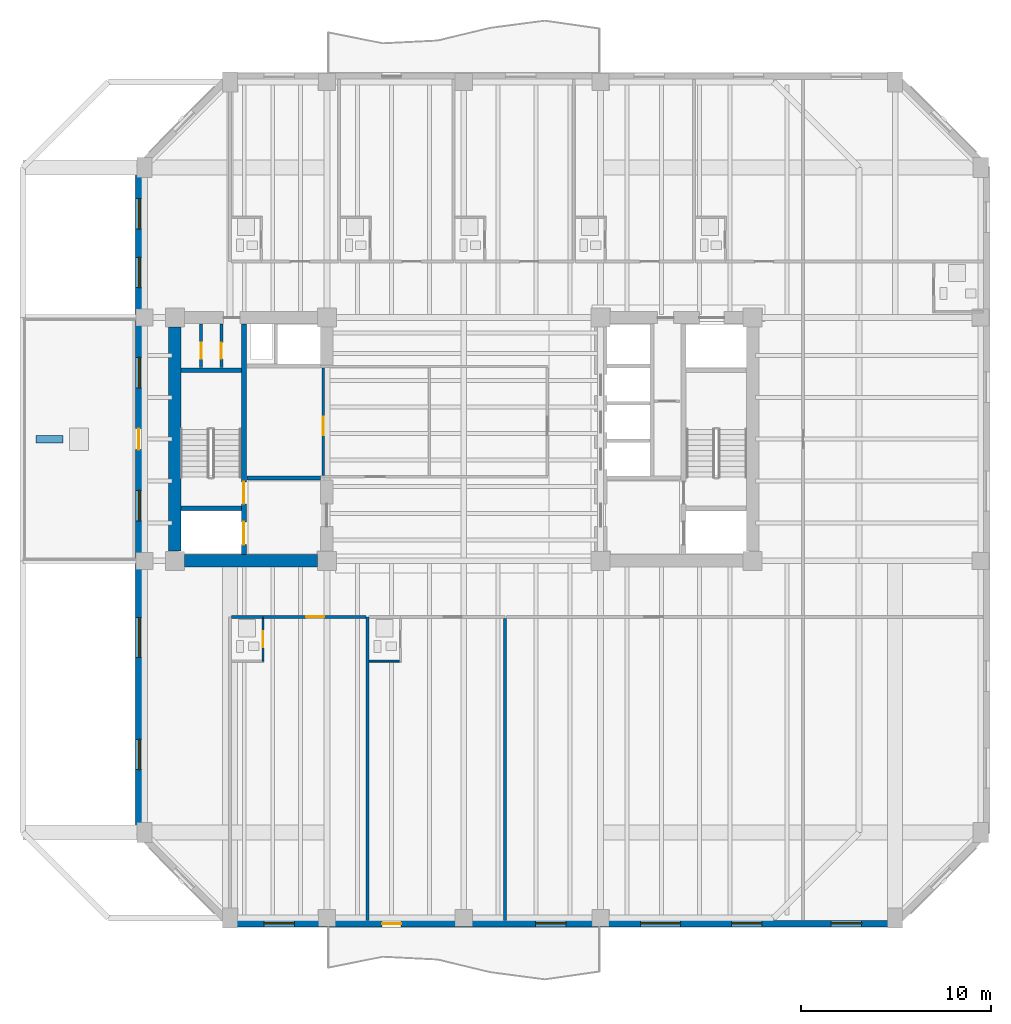
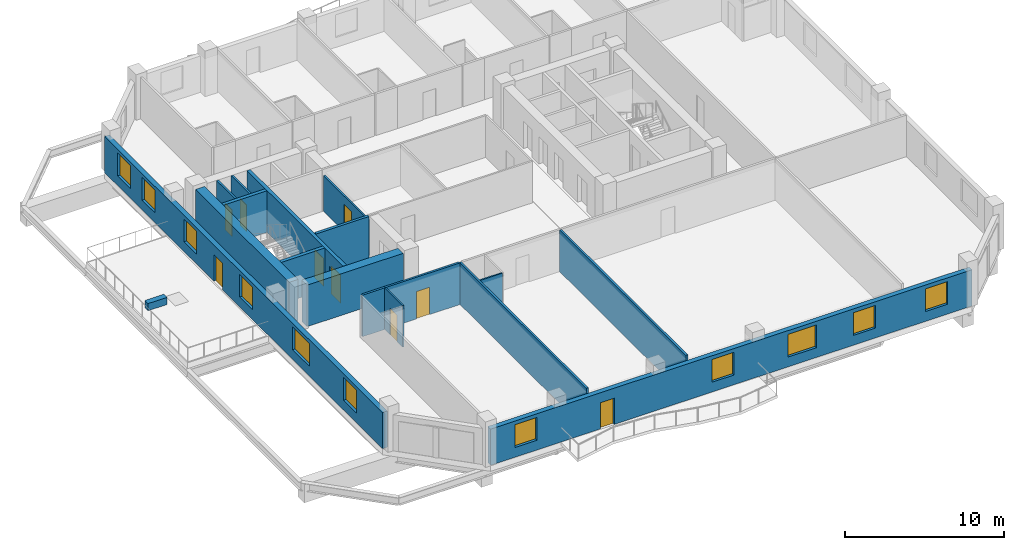
# One storey, part 3 of 11: 18 walls, 11 windows, 9 doors, 20 openings.
"""IFC4 building model written with IfcOpenShell, lengths in metres."""

from ifc_helpers import new_model, si_unit, direction, frame, frame_2d, origin, place, context, subcontext, project, spatial, rectangle, extrude, material, layer, layer_set, type_object, element, fill, save


model = new_model("IFC4")

# Units and contexts
model_context = context("Model", 3, precision=1e-05, world=origin(), true_north=direction((0.0, 1.0)))
body_context = subcontext(model_context, "Body", "Model", "MODEL_VIEW")
ifc_project = project(units=[si_unit("LENGTHUNIT", "METRE"), si_unit("AREAUNIT", "SQUARE_METRE"), si_unit("VOLUMEUNIT", "CUBIC_METRE"), si_unit("PLANEANGLEUNIT", "RADIAN"), si_unit("MASSUNIT", "GRAM", prefix="KILO")], contexts=[model_context])

# Site, building, storey
site_placement = place(None, origin())
site = spatial("IfcSite", under=ifc_project, at=site_placement, CompositionType="ELEMENT")
building_placement = place(site_placement, origin())
building = spatial("IfcBuilding", under=site, at=building_placement, Name="Kranthara Brick Stack", CompositionType="ELEMENT")
storey_placement = place(building_placement, frame((0.0, 0.0, 141.300048828125)))
storey = spatial("IfcBuildingStorey", under=building, at=storey_placement, Name="L35", CompositionType="ELEMENT", Elevation=141.300048828125)

# Wall, openings, door, windows
ifc_material_1 = material(Name="Kiln-fired clay brick masonry M15", Category="masonry")
ifc_layer_1 = layer(ifc_material_1, 0.35009765625)
ifc_layer_set_1 = layer_set([ifc_layer_1], Name="Kiln-fired clay brick masonry M15")
wall_type_1 = type_object("IfcWallType", Name="WL-BRK-SPND-350", PredefinedType="STANDARD", material=ifc_layer_set_1)
wall_1_placement = place(storey_placement, frame((50.699951171875, 1.695068359375, 0.0), z_axis=(0.0, 0.0, 1.0), x_axis=(-1.0, 0.0, 0.0)))
wall_1 = element("IfcWall", 1, at=wall_1_placement, inside=storey, type_object=wall_type_1, Name="L35 Exterior Brick Facade Wall SOUTH 1", PredefinedType="STANDARD", context=body_context, shape_type="SweptSolid", body=[
    extrude(rectangle(XDim=35.0, YDim=0.35009765625, at=frame_2d((17.5, 0.0))), origin(), (0.0, 0.0, 1.0), 2.784912109375),
])
opening_1_placement = place(wall_1_placement, frame((26.0, 0.0, 0.0)))
opening_1 = element("IfcOpeningElement", 2, at=opening_1_placement, cuts=wall_1, Name="Opening D03", PredefinedType="OPENING", context=body_context, shape_type="SweptSolid", body=[
    extrude(rectangle(XDim=1.0, YDim=2.02001953125, at=frame_2d((0.5, 1.010009765625))), frame((0.0, 0.18505859375, 0.0), z_axis=(0.0, -1.0, 0.0), x_axis=(1.0, 0.0, 0.0)), (0.0, 0.0, 1.0), 0.3701171875),
])
opening_2_placement = place(wall_1_placement, frame((1.762939453125, 0.0, 0.75)))
opening_2 = element("IfcOpeningElement", 3, at=opening_2_placement, cuts=wall_1, Name="Opening WN04", PredefinedType="OPENING", context=body_context, shape_type="SweptSolid", body=[
    extrude(rectangle(XDim=1.60009765625, YDim=1.75, at=frame_2d((0.800048828125, 0.875))), frame((0.0, 0.18505859375, 0.0), z_axis=(0.0, -1.0, 0.0), x_axis=(1.0, 0.0, 0.0)), (0.0, 0.0, 1.0), 0.3701171875),
])
opening_3_placement = place(wall_1_placement, frame((7.007080078125, 0.0, 0.75)))
opening_3 = element("IfcOpeningElement", 4, at=opening_3_placement, cuts=wall_1, Name="Opening WN04", PredefinedType="OPENING", context=body_context, shape_type="SweptSolid", body=[
    extrude(rectangle(XDim=1.60009765625, YDim=1.75, at=frame_2d((0.800048828125, 0.875))), frame((0.0, 0.18505859375, 0.0), z_axis=(0.0, -1.0, 0.0), x_axis=(1.0, 0.0, 0.0)), (0.0, 0.0, 1.0), 0.3701171875),
])
opening_4_placement = place(wall_1_placement, frame((11.29296875, 0.0, 0.75)))
opening_4 = element("IfcOpeningElement", 5, at=opening_4_placement, cuts=wall_1, Name="Opening WN05", PredefinedType="OPENING", context=body_context, shape_type="SweptSolid", body=[
    extrude(rectangle(XDim=2.10009765625, YDim=1.75, at=frame_2d((1.050048828125, 0.875))), frame((0.0, 0.18505859375, 0.0), z_axis=(0.0, -1.0, 0.0), x_axis=(1.0, 0.0, 0.0)), (0.0, 0.0, 1.0), 0.3701171875),
])
opening_5_placement = place(wall_1_placement, frame((17.31396484375, 0.0, 0.75)))
opening_5 = element("IfcOpeningElement", 6, at=opening_5_placement, cuts=wall_1, Name="Opening WN04", PredefinedType="OPENING", context=body_context, shape_type="SweptSolid", body=[
    extrude(rectangle(XDim=1.60009765625, YDim=1.75, at=frame_2d((0.800048828125, 0.875))), frame((0.0, 0.18505859375, 0.0), z_axis=(0.0, -1.0, 0.0), x_axis=(1.0, 0.0, 0.0)), (0.0, 0.0, 1.0), 0.3701171875),
])
opening_6_placement = place(wall_1_placement, frame((31.613037109375, 0.0, 0.75)))
opening_6 = element("IfcOpeningElement", 7, at=opening_6_placement, cuts=wall_1, Name="Opening WN04", PredefinedType="OPENING", context=body_context, shape_type="SweptSolid", body=[
    extrude(rectangle(XDim=1.60009765625, YDim=1.75, at=frame_2d((0.800048828125, 0.875))), frame((0.0, 0.18505859375, 0.0), z_axis=(0.0, -1.0, 0.0), x_axis=(1.0, 0.0, 0.0)), (0.0, 0.0, 1.0), 0.3701171875),
])
ifc_material_2 = material(Name="Bronze anodised aluminium and laminated glass", Category="aluminium")
door_type_1 = type_object("IfcDoorType", Name="DR-BALC-1000", OperationType="NOTDEFINED", PredefinedType="DOOR", material=ifc_material_2)
door_1_placement = place(opening_1_placement, origin())
door_1 = element("IfcDoor", 8, at=door_1_placement, inside=storey, type_object=door_type_1, Name="L35 South Balcony Terrace Door", OperationType="SINGLE_SWING_LEFT", OverallHeight=2.02001953125, OverallWidth=1.0, PredefinedType="DOOR", context=body_context, shape_type="SweptSolid", body=[
    extrude(rectangle(XDim=1.0, YDim=2.02001953125, at=frame_2d((0.5, 1.010009765625))), frame((0.0, 0.02490234375, 0.0), z_axis=(0.0, -1.0, 0.0), x_axis=(1.0, 0.0, 0.0)), (0.0, 0.0, 1.0), 0.050048828125),
])
fill(opening_1, door_1)
ifc_material_3 = material(Name="Double-glazed low-E solar control glass", Category="glass")
window_type_1 = type_object("IfcWindowType", Name="WN-HTL-1600x1850", PartitioningType="DOUBLE_PANEL_VERTICAL", PredefinedType="WINDOW", material=ifc_material_3)
window_1_placement = place(opening_2_placement, origin())
window_1 = element("IfcWindow", 9, at=window_1_placement, inside=storey, type_object=window_type_1, Name="L35 South Deep-Set Brick Window 01", OverallHeight=1.75, OverallWidth=1.60009765625, PartitioningType="SINGLE_PANEL", PredefinedType="WINDOW", context=body_context, shape_type="SweptSolid", body=[
    extrude(rectangle(XDim=1.60009765625, YDim=1.75, at=frame_2d((0.800048828125, 0.875))), frame((0.0, -0.010009765625, 0.0), z_axis=(0.0, -1.0, 0.0), x_axis=(1.0, 0.0, 0.0)), (0.0, 0.0, 1.0), 0.06005859375),
])
fill(opening_2, window_1)
window_2_placement = place(opening_3_placement, origin())
window_2 = element("IfcWindow", 10, at=window_2_placement, inside=storey, type_object=window_type_1, Name="L35 South Deep-Set Brick Window 02", OverallHeight=1.75, OverallWidth=1.60009765625, PartitioningType="SINGLE_PANEL", PredefinedType="WINDOW", context=body_context, shape_type="SweptSolid", body=[
    extrude(rectangle(XDim=1.60009765625, YDim=1.75, at=frame_2d((0.800048828125, 0.875))), frame((0.0, -0.010009765625, 0.0), z_axis=(0.0, -1.0, 0.0), x_axis=(1.0, 0.0, 0.0)), (0.0, 0.0, 1.0), 0.06005859375),
])
fill(opening_3, window_2)
window_3_placement = place(opening_5_placement, origin())
window_3 = element("IfcWindow", 11, at=window_3_placement, inside=storey, type_object=window_type_1, Name="L35 South Deep-Set Brick Window 04", OverallHeight=1.75, OverallWidth=1.60009765625, PartitioningType="SINGLE_PANEL", PredefinedType="WINDOW", context=body_context, shape_type="SweptSolid", body=[
    extrude(rectangle(XDim=1.60009765625, YDim=1.75, at=frame_2d((0.800048828125, 0.875))), frame((0.0, -0.010009765625, 0.0), z_axis=(0.0, -1.0, 0.0), x_axis=(1.0, 0.0, 0.0)), (0.0, 0.0, 1.0), 0.06005859375),
])
fill(opening_5, window_3)
window_4_placement = place(opening_6_placement, origin())
window_4 = element("IfcWindow", 12, at=window_4_placement, inside=storey, type_object=window_type_1, Name="L35 South Deep-Set Brick Window 05", OverallHeight=1.75, OverallWidth=1.60009765625, PartitioningType="SINGLE_PANEL", PredefinedType="WINDOW", context=body_context, shape_type="SweptSolid", body=[
    extrude(rectangle(XDim=1.60009765625, YDim=1.75, at=frame_2d((0.800048828125, 0.875))), frame((0.0, -0.010009765625, 0.0), z_axis=(0.0, -1.0, 0.0), x_axis=(1.0, 0.0, 0.0)), (0.0, 0.0, 1.0), 0.06005859375),
])
fill(opening_6, window_4)
ifc_material_4 = material(Name="Double-glazed low-E solar control glass", Category="glass")
window_type_2 = type_object("IfcWindowType", Name="WN-HTL-2100x1850", PartitioningType="DOUBLE_PANEL_VERTICAL", PredefinedType="WINDOW", material=ifc_material_4)
window_5_placement = place(opening_4_placement, origin())
window_5 = element("IfcWindow", 13, at=window_5_placement, inside=storey, type_object=window_type_2, Name="L35 South Deep-Set Brick Window 03", OverallHeight=1.75, OverallWidth=2.10009765625, PartitioningType="SINGLE_PANEL", PredefinedType="WINDOW", context=body_context, shape_type="SweptSolid", body=[
    extrude(rectangle(XDim=2.10009765625, YDim=1.75, at=frame_2d((1.050048828125, 0.875))), frame((0.0, -0.010009765625, 0.0), z_axis=(0.0, -1.0, 0.0), x_axis=(1.0, 0.0, 0.0)), (0.0, 0.0, 1.0), 0.06005859375),
])
fill(opening_4, window_5)

wall_2_placement = place(storey_placement, frame((10.89501953125, 6.5, 0.0), z_axis=(0.0, 0.0, 1.0), x_axis=(0.0, 1.0, 0.0)))
wall_2 = element("IfcWall", 14, at=wall_2_placement, inside=storey, type_object=wall_type_1, Name="L35 Exterior Brick Facade Wall WEST 1", PredefinedType="STANDARD", context=body_context, shape_type="SweptSolid", body=[
    extrude(rectangle(XDim=35.0, YDim=0.35009765625, at=frame_2d((17.5, 0.0))), origin(), (0.0, 0.0, 1.0), 2.784912109375),
])
opening_7_placement = place(wall_2_placement, frame((20.14990234375, 0.0, 0.0)))
opening_7 = element("IfcOpeningElement", 15, at=opening_7_placement, cuts=wall_2, Name="Opening D02", PredefinedType="OPENING", context=body_context, shape_type="SweptSolid", body=[
    extrude(rectangle(XDim=1.10009765625, YDim=2.050048828125, at=frame_2d((0.550048828125, 1.02490234375))), frame((0.0, 0.18505859375, 0.0), z_axis=(0.0, -1.0, 0.0), x_axis=(1.0, 0.0, 0.0)), (0.0, 0.0, 1.0), 0.3701171875),
])
opening_8_placement = place(wall_2_placement, frame((3.31005859375, 0.0, 0.75)))
opening_8 = element("IfcOpeningElement", 16, at=opening_8_placement, cuts=wall_2, Name="Opening WN04", PredefinedType="OPENING", context=body_context, shape_type="SweptSolid", body=[
    extrude(rectangle(XDim=1.60009765625, YDim=1.75, at=frame_2d((0.800048828125, 0.875))), frame((0.0, 0.18505859375, 0.0), z_axis=(0.0, -1.0, 0.0), x_axis=(1.0, 0.0, 0.0)), (0.0, 0.0, 1.0), 0.3701171875),
])
opening_9_placement = place(wall_2_placement, frame((9.216064453125, 0.0, 0.75)))
opening_9 = element("IfcOpeningElement", 17, at=opening_9_placement, cuts=wall_2, Name="Opening WN05", PredefinedType="OPENING", context=body_context, shape_type="SweptSolid", body=[
    extrude(rectangle(XDim=2.10009765625, YDim=1.75, at=frame_2d((1.050048828125, 0.875))), frame((0.0, 0.18505859375, 0.0), z_axis=(0.0, -1.0, 0.0), x_axis=(1.0, 0.0, 0.0)), (0.0, 0.0, 1.0), 0.3701171875),
])
opening_10_placement = place(wall_2_placement, frame((16.39990234375, 0.0, 0.75)))
opening_10 = element("IfcOpeningElement", 18, at=opening_10_placement, cuts=wall_2, Name="Opening WN04", PredefinedType="OPENING", context=body_context, shape_type="SweptSolid", body=[
    extrude(rectangle(XDim=1.60009765625, YDim=1.75, at=frame_2d((0.800048828125, 0.875))), frame((0.0, 0.18505859375, 0.0), z_axis=(0.0, -1.0, 0.0), x_axis=(1.0, 0.0, 0.0)), (0.0, 0.0, 1.0), 0.3701171875),
])
opening_11_placement = place(wall_2_placement, frame((23.39990234375, 0.0, 0.75)))
opening_11 = element("IfcOpeningElement", 19, at=opening_11_placement, cuts=wall_2, Name="Opening WN04", PredefinedType="OPENING", context=body_context, shape_type="SweptSolid", body=[
    extrude(rectangle(XDim=1.60009765625, YDim=1.75, at=frame_2d((0.800048828125, 0.875))), frame((0.0, 0.18505859375, 0.0), z_axis=(0.0, -1.0, 0.0), x_axis=(1.0, 0.0, 0.0)), (0.0, 0.0, 1.0), 0.3701171875),
])
opening_12_placement = place(wall_2_placement, frame((28.6708984375, 0.0, 0.75)))
opening_12 = element("IfcOpeningElement", 20, at=opening_12_placement, cuts=wall_2, Name="Opening WN04", PredefinedType="OPENING", context=body_context, shape_type="SweptSolid", body=[
    extrude(rectangle(XDim=1.60009765625, YDim=1.75, at=frame_2d((0.800048828125, 0.875))), frame((0.0, 0.18505859375, 0.0), z_axis=(0.0, -1.0, 0.0), x_axis=(1.0, 0.0, 0.0)), (0.0, 0.0, 1.0), 0.3701171875),
])
opening_13_placement = place(wall_2_placement, frame((31.7548828125, 0.0, 0.75)))
opening_13 = element("IfcOpeningElement", 21, at=opening_13_placement, cuts=wall_2, Name="Opening WN04", PredefinedType="OPENING", context=body_context, shape_type="SweptSolid", body=[
    extrude(rectangle(XDim=1.60009765625, YDim=1.75, at=frame_2d((0.800048828125, 0.875))), frame((0.0, 0.18505859375, 0.0), z_axis=(0.0, -1.0, 0.0), x_axis=(1.0, 0.0, 0.0)), (0.0, 0.0, 1.0), 0.3701171875),
])
ifc_material_5 = material(Name="Bronze anodised aluminium and laminated glass", Category="aluminium")
door_type_2 = type_object("IfcDoorType", Name="DR-TERR-1100", OperationType="NOTDEFINED", PredefinedType="DOOR", material=ifc_material_5)
door_2_placement = place(opening_7_placement, origin())
door_2 = element("IfcDoor", 22, at=door_2_placement, inside=storey, type_object=door_type_2, Name="L35 Planted Sky Garden Terrace Door", OperationType="SINGLE_SWING_LEFT", OverallHeight=2.050048828125, OverallWidth=1.10009765625, PredefinedType="DOOR", context=body_context, shape_type="SweptSolid", body=[
    extrude(rectangle(XDim=1.10009765625, YDim=2.050048828125, at=frame_2d((0.550048828125, 1.02490234375))), frame((0.0, 0.02490234375, 0.0), z_axis=(0.0, -1.0, 0.0), x_axis=(1.0, 0.0, 0.0)), (0.0, 0.0, 1.0), 0.050048828125),
])
fill(opening_7, door_2)
window_6_placement = place(opening_8_placement, origin())
window_6 = element("IfcWindow", 23, at=window_6_placement, inside=storey, type_object=window_type_1, Name="L35 West Deep-Set Brick Window 01", OverallHeight=1.75, OverallWidth=1.60009765625, PartitioningType="SINGLE_PANEL", PredefinedType="WINDOW", context=body_context, shape_type="SweptSolid", body=[
    extrude(rectangle(XDim=1.60009765625, YDim=1.75, at=frame_2d((0.800048828125, 0.875))), frame((0.0, -0.010009765625, 0.0), z_axis=(0.0, -1.0, 0.0), x_axis=(1.0, 0.0, 0.0)), (0.0, 0.0, 1.0), 0.06005859375),
])
fill(opening_8, window_6)
window_7_placement = place(opening_10_placement, origin())
window_7 = element("IfcWindow", 24, at=window_7_placement, inside=storey, type_object=window_type_1, Name="L35 West Deep-Set Brick Window 03", OverallHeight=1.75, OverallWidth=1.60009765625, PartitioningType="SINGLE_PANEL", PredefinedType="WINDOW", context=body_context, shape_type="SweptSolid", body=[
    extrude(rectangle(XDim=1.60009765625, YDim=1.75, at=frame_2d((0.800048828125, 0.875))), frame((0.0, -0.010009765625, 0.0), z_axis=(0.0, -1.0, 0.0), x_axis=(1.0, 0.0, 0.0)), (0.0, 0.0, 1.0), 0.06005859375),
])
fill(opening_10, window_7)
window_8_placement = place(opening_11_placement, origin())
window_8 = element("IfcWindow", 25, at=window_8_placement, inside=storey, type_object=window_type_1, Name="L35 West Deep-Set Brick Window 04", OverallHeight=1.75, OverallWidth=1.60009765625, PartitioningType="SINGLE_PANEL", PredefinedType="WINDOW", context=body_context, shape_type="SweptSolid", body=[
    extrude(rectangle(XDim=1.60009765625, YDim=1.75, at=frame_2d((0.800048828125, 0.875))), frame((0.0, -0.010009765625, 0.0), z_axis=(0.0, -1.0, 0.0), x_axis=(1.0, 0.0, 0.0)), (0.0, 0.0, 1.0), 0.06005859375),
])
fill(opening_11, window_8)
window_9_placement = place(opening_12_placement, origin())
window_9 = element("IfcWindow", 26, at=window_9_placement, inside=storey, type_object=window_type_1, Name="L35 West Deep-Set Brick Window 05", OverallHeight=1.75, OverallWidth=1.60009765625, PartitioningType="SINGLE_PANEL", PredefinedType="WINDOW", context=body_context, shape_type="SweptSolid", body=[
    extrude(rectangle(XDim=1.60009765625, YDim=1.75, at=frame_2d((0.800048828125, 0.875))), frame((0.0, -0.010009765625, 0.0), z_axis=(0.0, -1.0, 0.0), x_axis=(1.0, 0.0, 0.0)), (0.0, 0.0, 1.0), 0.06005859375),
])
fill(opening_12, window_9)
window_10_placement = place(opening_13_placement, origin())
window_10 = element("IfcWindow", 27, at=window_10_placement, inside=storey, type_object=window_type_1, Name="L35 West Deep-Set Brick Window 06", OverallHeight=1.75, OverallWidth=1.60009765625, PartitioningType="SINGLE_PANEL", PredefinedType="WINDOW", context=body_context, shape_type="SweptSolid", body=[
    extrude(rectangle(XDim=1.60009765625, YDim=1.75, at=frame_2d((0.800048828125, 0.875))), frame((0.0, -0.010009765625, 0.0), z_axis=(0.0, -1.0, 0.0), x_axis=(1.0, 0.0, 0.0)), (0.0, 0.0, 1.0), 0.06005859375),
])
fill(opening_13, window_10)
window_11_placement = place(opening_9_placement, origin())
window_11 = element("IfcWindow", 28, at=window_11_placement, inside=storey, type_object=window_type_2, Name="L35 West Deep-Set Brick Window 02", OverallHeight=1.75, OverallWidth=2.10009765625, PartitioningType="SINGLE_PANEL", PredefinedType="WINDOW", context=body_context, shape_type="SweptSolid", body=[
    extrude(rectangle(XDim=2.10009765625, YDim=1.75, at=frame_2d((1.050048828125, 0.875))), frame((0.0, -0.010009765625, 0.0), z_axis=(0.0, -1.0, 0.0), x_axis=(1.0, 0.0, 0.0)), (0.0, 0.0, 1.0), 0.06005859375),
])
fill(opening_9, window_11)

# Wall, openings, doors
ifc_material_6 = material(Name="Concrete C50/60", Category="concrete")
ifc_layer_2 = layer(ifc_material_6, 0.25)
ifc_layer_set_2 = layer_set([ifc_layer_2], Name="Concrete C50/60")
wall_type_2 = type_object("IfcWallType", Name="WL-CORE-250", PredefinedType="SHEAR", material=ifc_layer_set_2)
wall_3_placement = place(storey_placement, frame((16.43505859375, 21.135009765625, 0.0), z_axis=(0.0, 0.0, 1.0), x_axis=(0.0, 1.0, 0.0)))
wall_3 = element("IfcWall", 29, at=wall_3_placement, inside=storey, type_object=wall_type_2, Name="L35 West Core Stair Bearing Spine Wall", PredefinedType="SHEAR", context=body_context, shape_type="SweptSolid", body=[
    extrude(rectangle(XDim=12.1298828125, YDim=0.25, at=frame_2d((6.06494140625, 0.0))), origin(), (0.0, 0.0, 1.0), 3.199951171875),
])
opening_14_placement = place(wall_3_placement, frame((0.514892578125, 0.0, 0.0)))
opening_14 = element("IfcOpeningElement", 30, at=opening_14_placement, cuts=wall_3, Name="Opening LD01", PredefinedType="OPENING", context=body_context, shape_type="SweptSolid", body=[
    extrude(rectangle(XDim=1.199951171875, YDim=2.14990234375, at=frame_2d((0.60009765625, 1.074951171875))), frame((0.0, 0.135009765625, 0.0), z_axis=(0.0, -1.0, 0.0), x_axis=(1.0, 0.0, 0.0)), (0.0, 0.0, 1.0), 0.27001953125),
])
opening_15_placement = place(wall_3_placement, frame((2.6650390625, 0.0, 0.0)))
opening_15 = element("IfcOpeningElement", 31, at=opening_15_placement, cuts=wall_3, Name="Opening D05", PredefinedType="OPENING", context=body_context, shape_type="SweptSolid", body=[
    extrude(rectangle(XDim=1.14990234375, YDim=2.14990234375, at=frame_2d((0.574951171875, 1.074951171875))), frame((0.0, 0.135009765625, 0.0), z_axis=(0.0, -1.0, 0.0), x_axis=(1.0, 0.0, 0.0)), (0.0, 0.0, 1.0), 0.27001953125),
])
ifc_material_7 = material(Name="Stainless steel sliding landing door", Category="steel")
door_type_3 = type_object("IfcDoorType", Name="DR-LD-FF1200", OperationType="DOUBLE_DOOR_SLIDING", PredefinedType="DOOR", material=ifc_material_7)
door_3_placement = place(opening_14_placement, origin())
door_3 = element("IfcDoor", 32, at=door_3_placement, inside=storey, type_object=door_type_3, Name="L35 Firefighting Lift FF-01 Landing Door", OperationType="DOUBLE_DOOR_SLIDING", OverallHeight=2.14990234375, OverallWidth=1.199951171875, PredefinedType="DOOR", context=body_context, shape_type="SweptSolid", body=[
    extrude(rectangle(XDim=1.199951171875, YDim=2.14990234375, at=frame_2d((0.60009765625, 1.074951171875))), frame((0.0, 0.02490234375, 0.0), z_axis=(0.0, -1.0, 0.0), x_axis=(1.0, 0.0, 0.0)), (0.0, 0.0, 1.0), 0.050048828125),
])
fill(opening_14, door_3)
ifc_material_8 = material(Name="Solid-core hardwood timber leaf in steel frame", Category="steel")
door_type_4 = type_object("IfcDoorType", Name="DR-ST-1150", OperationType="NOTDEFINED", PredefinedType="DOOR", material=ifc_material_8)
door_4_placement = place(opening_15_placement, origin())
door_4 = element("IfcDoor", 33, at=door_4_placement, inside=storey, type_object=door_type_4, Name="L35 Exit Stair ST01 Door", OperationType="SINGLE_SWING_RIGHT", OverallHeight=2.14990234375, OverallWidth=1.14990234375, PredefinedType="DOOR", context=body_context, shape_type="SweptSolid", body=[
    extrude(rectangle(XDim=1.14990234375, YDim=2.14990234375, at=frame_2d((0.574951171875, 1.074951171875))), frame((0.0, 0.02490234375, 0.0), z_axis=(0.0, -1.0, 0.0), x_axis=(1.0, 0.0, 0.0)), (0.0, 0.0, 1.0), 0.050048828125),
])
fill(opening_15, door_4)

# Walls
for number, where, z_axis, x_axis, name in (
    (34, (13.135009765625, 23.570068359375, 0.0), (0.0, 0.0, 1.0), (1.0, 0.0, 0.0), "L35 West Stairwell Bearing Wall WFF"),
    (35, (13.135009765625, 30.830078125, 0.0), (0.0, 0.0, 1.0), (1.0, 0.0, 0.0), "L35 West Stairwell Bearing Wall WST"),
):
    element("IfcWall", number, at=place(storey_placement, frame(where, z_axis=z_axis, x_axis=x_axis)), inside=storey, type_object=wall_type_2, Name=name, PredefinedType="SHEAR", context=body_context, shape_type="SweptSolid", body=[
        extrude(rectangle(XDim=3.175048828125, YDim=0.25, at=frame_2d((1.58740234375, 0.0))), origin(), (0.0, 0.0, 1.0), 3.199951171875),
    ])
ifc_material_9 = material(Name="Concrete C60/75", Category="concrete")
ifc_layer_3 = layer(ifc_material_9, 0.64990234375)
ifc_layer_set_3 = layer_set([ifc_layer_3], Name="Concrete C60/75")
wall_type_3 = type_object("IfcWallType", Name="WL-CORE-650", PredefinedType="SHEAR", material=ifc_layer_set_3)
wall_4_placement = place(storey_placement, frame((12.800048828125, 21.304931640625, 0.0), z_axis=(0.0, 0.0, 1.0), x_axis=(0.0, 1.0, 0.0)))
element("IfcWall", 36, at=wall_4_placement, inside=storey, type_object=wall_type_3, Name="L35 West Core Shear Wall West", PredefinedType="SHEAR", context=body_context, shape_type="SweptSolid", body=[
    extrude(rectangle(XDim=11.7900390625, YDim=0.64990234375, at=frame_2d((5.89501953125, 0.0))), origin(), (0.0, 0.0, 1.0), 3.199951171875),
])
wall_5_placement = place(storey_placement, frame((13.304931640625, 20.800048828125, 0.0), z_axis=(0.0, 0.0, 1.0), x_axis=(1.0, 0.0, 0.0)))
element("IfcWall", 37, at=wall_5_placement, inside=storey, type_object=wall_type_3, Name="L35 West Core Shear Wall South", PredefinedType="SHEAR", context=body_context, shape_type="SweptSolid", body=[
    extrude(rectangle(XDim=6.989990234375, YDim=0.64990234375, at=frame_2d((3.4951171875, 0.0))), origin(), (0.0, 0.0, 1.0), 3.199951171875),
])

# Wall, opening, door
ifc_material_10 = material(Name="Moisture-resistant wet-room partition", Category="other")
ifc_layer_4 = layer(ifc_material_10, 0.10009765625)
ifc_layer_set_4 = layer_set([ifc_layer_4], Name="Moisture-resistant wet-room partition")
wall_type_4 = type_object("IfcWallType", Name="WL-PART-100", PredefinedType="PARTITIONING", material=ifc_layer_set_4)
wall_6_placement = place(storey_placement, frame((17.4365234375, 15.52001953125, 0.0), z_axis=(0.0, 0.0, 1.0), x_axis=(0.0, 1.0, 0.0)))
wall_6 = element("IfcWall", 38, at=wall_6_placement, inside=storey, type_object=wall_type_4, Name="L35 Interior Partition 013", PredefinedType="PARTITIONING", context=body_context, shape_type="SweptSolid", body=[
    extrude(rectangle(XDim=2.25, YDim=0.10009765625, at=frame_2d((1.125, 0.0))), origin(), (0.0, 0.0, 1.0), 3.199951171875),
])
opening_16_placement = place(wall_6_placement, frame((0.719970703125, 0.0, 0.0)))
opening_16 = element("IfcOpeningElement", 39, at=opening_16_placement, cuts=wall_6, Name="Opening D17", PredefinedType="OPENING", context=body_context, shape_type="SweptSolid", body=[
    extrude(rectangle(XDim=0.85009765625, YDim=2.050048828125, at=frame_2d((0.425048828125, 1.02490234375))), frame((0.0, 0.06005859375, 0.0), z_axis=(0.0, -1.0, 0.0), x_axis=(1.0, 0.0, 0.0)), (0.0, 0.0, 1.0), 0.1201171875),
])
ifc_material_11 = material(Name="Solid-core hardwood timber leaf in steel frame", Category="steel")
door_type_5 = type_object("IfcDoorType", Name="DR-WET-850", OperationType="NOTDEFINED", PredefinedType="DOOR", material=ifc_material_11)
door_5_placement = place(opening_16_placement, origin())
door_5 = element("IfcDoor", 40, at=door_5_placement, inside=storey, type_object=door_type_5, Name="L35 Key 01 En-Suite Door 07", OperationType="SINGLE_SWING_LEFT", OverallHeight=2.050048828125, OverallWidth=0.85009765625, PredefinedType="DOOR", context=body_context, shape_type="SweptSolid", body=[
    extrude(rectangle(XDim=0.85009765625, YDim=2.050048828125, at=frame_2d((0.425048828125, 1.02490234375))), frame((0.0, 0.02490234375, 0.0), z_axis=(0.0, -1.0, 0.0), x_axis=(1.0, 0.0, 0.0)), (0.0, 0.0, 1.0), 0.050048828125),
])
fill(opening_16, door_5)

# Wall
wall_7_placement = place(storey_placement, frame((23.01611328125, 15.52001953125, 0.0), z_axis=(0.0, 0.0, 1.0), x_axis=(1.0, 0.0, 0.0)))
element("IfcWall", 41, at=wall_7_placement, inside=storey, type_object=wall_type_4, Name="L35 Interior Partition 018", PredefinedType="PARTITIONING", context=body_context, shape_type="SweptSolid", body=[
    extrude(rectangle(XDim=1.6015625, YDim=0.10009765625, at=frame_2d((0.80078125, 0.0))), origin(), (0.0, 0.0, 1.0), 3.199951171875),
])

# Wall, opening, door
ifc_material_12 = material(Name="Acoustic gypsum plasterboard partition", Category="other")
ifc_layer_5 = layer(ifc_material_12, 0.1201171875)
ifc_layer_set_5 = layer_set([ifc_layer_5], Name="Acoustic gypsum plasterboard partition")
wall_type_5 = type_object("IfcWallType", Name="WL-PART-120", PredefinedType="PARTITIONING", material=ifc_layer_set_5)
wall_8_placement = place(storey_placement, frame((20.60009765625, 25.284912109375, 0.0), z_axis=(0.0, 0.0, 1.0), x_axis=(0.0, 1.0, 0.0)))
wall_8 = element("IfcWall", 42, at=wall_8_placement, inside=storey, type_object=wall_type_5, Name="L35 Interior Partition 007", PredefinedType="PARTITIONING", context=body_context, shape_type="SweptSolid", body=[
    extrude(rectangle(XDim=5.670166015625, YDim=0.1201171875, at=frame_2d((2.8349609375, 0.0))), origin(), (0.0, 0.0, 1.0), 2.73486328125),
])
opening_17_placement = place(wall_8_placement, frame((2.135009765625, 0.0, 0.0)))
opening_17 = element("IfcOpeningElement", 43, at=opening_17_placement, cuts=wall_8, Name="Opening D14", PredefinedType="OPENING", context=body_context, shape_type="SweptSolid", body=[
    extrude(rectangle(XDim=0.949951171875, YDim=2.10009765625, at=frame_2d((0.47509765625, 1.050048828125))), frame((0.0, 0.070068359375, 0.0), z_axis=(0.0, -1.0, 0.0), x_axis=(1.0, 0.0, 0.0)), (0.0, 0.0, 1.0), 0.14013671875),
])
ifc_material_13 = material(Name="Solid-core hardwood timber leaf in steel frame", Category="steel")
door_type_6 = type_object("IfcDoorType", Name="DR-INT-950", OperationType="NOTDEFINED", PredefinedType="DOOR", material=ifc_material_13)
door_6_placement = place(opening_17_placement, origin())
door_6 = element("IfcDoor", 44, at=door_6_placement, inside=storey, type_object=door_type_6, Name="L35 Inner Archive Door 04", OperationType="SINGLE_SWING_RIGHT", OverallHeight=2.10009765625, OverallWidth=0.949951171875, PredefinedType="DOOR", context=body_context, shape_type="SweptSolid", body=[
    extrude(rectangle(XDim=0.949951171875, YDim=2.10009765625, at=frame_2d((0.47509765625, 1.050048828125))), frame((0.0, 0.02490234375, 0.0), z_axis=(0.0, -1.0, 0.0), x_axis=(1.0, 0.0, 0.0)), (0.0, 0.0, 1.0), 0.050048828125),
])
fill(opening_17, door_6)

ifc_material_14 = material(Name="Fire-rated gypsum board partition", Category="other")
ifc_layer_6 = layer(ifc_material_14, 0.14990234375)
ifc_layer_set_6 = layer_set([ifc_layer_6], Name="Fire-rated gypsum board partition")
wall_type_6 = type_object("IfcWallType", Name="WL-PART-150", PredefinedType="PARTITIONING", material=ifc_layer_set_6)
wall_9_placement = place(storey_placement, frame((14.179931640625, 30.9599609375, 0.0), z_axis=(0.0, 0.0, 1.0), x_axis=(0.0, 1.0, 0.0)))
wall_9 = element("IfcWall", 45, at=wall_9_placement, inside=storey, type_object=wall_type_6, Name="L35 Interior Partition 001", PredefinedType="PARTITIONING", context=body_context, shape_type="SweptSolid", body=[
    extrude(rectangle(XDim=2.31005859375, YDim=0.14990234375, at=frame_2d((1.155029296875, 0.0))), origin(), (0.0, 0.0, 1.0), 3.199951171875),
])
opening_18_placement = place(wall_9_placement, frame((0.469970703125, 0.0, 0.0)))
opening_18 = element("IfcOpeningElement", 46, at=opening_18_placement, cuts=wall_9, Name="Opening D10", PredefinedType="OPENING", context=body_context, shape_type="SweptSolid", body=[
    extrude(rectangle(XDim=0.85009765625, YDim=2.02001953125, at=frame_2d((0.425048828125, 1.010009765625))), frame((0.0, 0.0849609375, 0.0), z_axis=(0.0, -1.0, 0.0), x_axis=(1.0, 0.0, 0.0)), (0.0, 0.0, 1.0), 0.169921875),
])
ifc_material_15 = material(Name="Solid-core hardwood timber leaf in steel frame", Category="steel")
door_type_7 = type_object("IfcDoorType", Name="DR-RSR-850", OperationType="NOTDEFINED", PredefinedType="DOOR", material=ifc_material_15)
door_7_placement = place(opening_18_placement, origin())
door_7 = element("IfcDoor", 47, at=door_7_placement, inside=storey, type_object=door_type_7, Name="L35 Riser Door A 01", OperationType="SINGLE_SWING_LEFT", OverallHeight=2.02001953125, OverallWidth=0.85009765625, PredefinedType="DOOR", context=body_context, shape_type="SweptSolid", body=[
    extrude(rectangle(XDim=0.85009765625, YDim=2.02001953125, at=frame_2d((0.425048828125, 1.010009765625))), frame((0.0, 0.02490234375, 0.0), z_axis=(0.0, -1.0, 0.0), x_axis=(1.0, 0.0, 0.0)), (0.0, 0.0, 1.0), 0.050048828125),
])
fill(opening_18, door_7)

wall_10_placement = place(storey_placement, frame((15.25, 30.9599609375, 0.0), z_axis=(0.0, 0.0, 1.0), x_axis=(0.0, 1.0, 0.0)))
wall_10 = element("IfcWall", 48, at=wall_10_placement, inside=storey, type_object=wall_type_6, Name="L35 Interior Partition 002", PredefinedType="PARTITIONING", context=body_context, shape_type="SweptSolid", body=[
    extrude(rectangle(XDim=2.31005859375, YDim=0.14990234375, at=frame_2d((1.155029296875, 0.0))), origin(), (0.0, 0.0, 1.0), 3.199951171875),
])
opening_19_placement = place(wall_10_placement, frame((0.469970703125, 0.0, 0.0)))
opening_19 = element("IfcOpeningElement", 49, at=opening_19_placement, cuts=wall_10, Name="Opening D10", PredefinedType="OPENING", context=body_context, shape_type="SweptSolid", body=[
    extrude(rectangle(XDim=0.85009765625, YDim=2.02001953125, at=frame_2d((0.425048828125, 1.010009765625))), frame((0.0, 0.0849609375, 0.0), z_axis=(0.0, -1.0, 0.0), x_axis=(1.0, 0.0, 0.0)), (0.0, 0.0, 1.0), 0.169921875),
])
door_8_placement = place(opening_19_placement, origin())
door_8 = element("IfcDoor", 50, at=door_8_placement, inside=storey, type_object=door_type_7, Name="L35 Riser Door B 02", OperationType="SINGLE_SWING_RIGHT", OverallHeight=2.02001953125, OverallWidth=0.85009765625, PredefinedType="DOOR", context=body_context, shape_type="SweptSolid", body=[
    extrude(rectangle(XDim=0.85009765625, YDim=2.02001953125, at=frame_2d((0.425048828125, 1.010009765625))), frame((0.0, 0.02490234375, 0.0), z_axis=(0.0, -1.0, 0.0), x_axis=(1.0, 0.0, 0.0)), (0.0, 0.0, 1.0), 0.050048828125),
])
fill(opening_19, door_8)

# Walls
wall_11_placement = place(storey_placement, frame((22.93603515625, 1.875, 0.0), z_axis=(0.0, 0.0, 1.0), x_axis=(0.0, 1.0, 0.0)))
element("IfcWall", 51, at=wall_11_placement, inside=storey, type_object=wall_type_6, Name="L35 Interior Partition 010", PredefinedType="PARTITIONING", context=body_context, shape_type="SweptSolid", body=[
    extrude(rectangle(XDim=15.97509765625, YDim=0.14990234375, at=frame_2d((7.987548828125, 0.0))), origin(), (0.0, 0.0, 1.0), 3.199951171875),
])
wall_12_placement = place(storey_placement, frame((15.780029296875, 17.85009765625, 0.0), z_axis=(0.0, 0.0, 1.0), x_axis=(1.0, 0.0, 0.0)))
element("IfcWall", 52, at=wall_12_placement, inside=storey, type_object=wall_type_6, Name="L35 Interior Partition 011", PredefinedType="PARTITIONING", context=body_context, shape_type="SweptSolid", body=[
    extrude(rectangle(XDim=1.656494140625, YDim=0.14990234375, at=frame_2d((0.828125, 0.0))), origin(), (0.0, 0.0, 1.0), 3.199951171875),
])

# Wall, opening, door
wall_13_placement = place(storey_placement, frame((17.4365234375, 17.85009765625, 0.0), z_axis=(0.0, 0.0, 1.0), x_axis=(1.0, 0.0, 0.0)))
wall_13 = element("IfcWall", 53, at=wall_13_placement, inside=storey, type_object=wall_type_6, Name="L35 Interior Partition 012", PredefinedType="PARTITIONING", context=body_context, shape_type="SweptSolid", body=[
    extrude(rectangle(XDim=5.41943359375, YDim=0.14990234375, at=frame_2d((2.709716796875, 0.0))), origin(), (0.0, 0.0, 1.0), 3.199951171875),
])
opening_20_placement = place(wall_13_placement, frame((2.27001953125, 0.0, 0.0)))
opening_20 = element("IfcOpeningElement", 54, at=opening_20_placement, cuts=wall_13, Name="Opening D09", PredefinedType="OPENING", context=body_context, shape_type="SweptSolid", body=[
    extrude(rectangle(XDim=0.949951171875, YDim=2.10009765625, at=frame_2d((0.47509765625, 1.050048828125))), frame((0.0, 0.0849609375, 0.0), z_axis=(0.0, -1.0, 0.0), x_axis=(1.0, 0.0, 0.0)), (0.0, 0.0, 1.0), 0.169921875),
])
ifc_material_16 = material(Name="Solid-core hardwood timber leaf in steel frame", Category="steel")
door_type_8 = type_object("IfcDoorType", Name="DR-FD-950", OperationType="NOTDEFINED", PredefinedType="DOOR", material=ifc_material_16)
door_9_placement = place(opening_20_placement, origin())
door_9 = element("IfcDoor", 55, at=door_9_placement, inside=storey, type_object=door_type_8, Name="L35 Key 01 Entry 08", OperationType="SINGLE_SWING_RIGHT", OverallHeight=2.10009765625, OverallWidth=0.949951171875, PredefinedType="DOOR", context=body_context, shape_type="SweptSolid", body=[
    extrude(rectangle(XDim=0.949951171875, YDim=2.10009765625, at=frame_2d((0.47509765625, 1.050048828125))), frame((0.0, 0.02490234375, 0.0), z_axis=(0.0, -1.0, 0.0), x_axis=(1.0, 0.0, 0.0)), (0.0, 0.0, 1.0), 0.050048828125),
])
fill(opening_20, door_9)

# Walls
wall_14_placement = place(storey_placement, frame((30.172119140625, 1.875, 0.0), z_axis=(0.0, 0.0, 1.0), x_axis=(0.0, 1.0, 0.0)))
element("IfcWall", 56, at=wall_14_placement, inside=storey, type_object=wall_type_6, Name="L35 Interior Partition 019", PredefinedType="PARTITIONING", context=body_context, shape_type="SweptSolid", body=[
    extrude(rectangle(XDim=15.89501953125, YDim=0.14990234375, at=frame_2d((7.947509765625, 0.0))), origin(), (0.0, 0.0, 1.0), 3.199951171875),
])
ifc_material_17 = material(Name="Concrete C40/50", Category="concrete")
ifc_layer_7 = layer(ifc_material_17, 0.199951171875)
ifc_layer_set_7 = layer_set([ifc_layer_7], Name="Concrete C40/50")
wall_type_7 = type_object("IfcWallType", Name="WL-PART-200", PredefinedType="SOLIDWALL", material=ifc_layer_set_7)
wall_15_placement = place(storey_placement, frame((16.60009765625, 25.14990234375, 0.0), z_axis=(0.0, 0.0, 1.0), x_axis=(1.0, 0.0, 0.0)))
element("IfcWall", 57, at=wall_15_placement, inside=storey, type_object=wall_type_7, Name="L35 West Core Cross Wall WFL", PredefinedType="SOLIDWALL", context=body_context, shape_type="SweptSolid", body=[
    extrude(rectangle(XDim=3.849853515625, YDim=0.199951171875, at=frame_2d((1.9248046875, 0.0))), origin(), (0.0, 0.0, 1.0), 3.199951171875),
])
ifc_material_18 = material(Name="Precast concrete C40/50", Category="concrete")
ifc_layer_8 = layer(ifc_material_18, 0.219970703125)
ifc_layer_set_8 = layer_set([ifc_layer_8], Name="Precast concrete C40/50")
wall_type_8 = type_object("IfcWallType", Name="WL-PLN-KERB-220", PredefinedType="PARAPET", material=ifc_layer_set_8)
wall_16_placement = place(storey_placement, frame((5.5, 27.199951171875, 0.0), z_axis=(0.0, 0.0, 1.0), x_axis=(1.0, 0.0, 0.0)))
element("IfcWall", 58, at=wall_16_placement, inside=storey, type_object=wall_type_8, Name="L35 Sky Garden Planted Planter Bed", PredefinedType="PARAPET", context=body_context, shape_type="SweptSolid", body=[
    extrude(rectangle(XDim=1.39990234375, YDim=0.39990234375, at=frame_2d((0.699951171875, 0.0))), origin(), (0.0, 0.0, 1.0), 0.550048828125),
])

save(model, "model.ifc")
